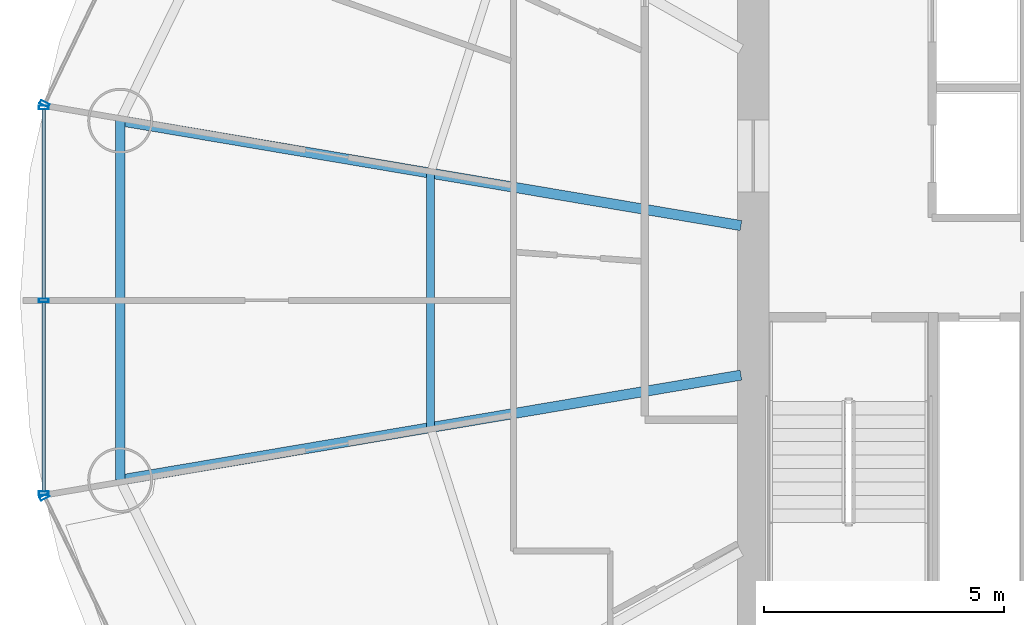
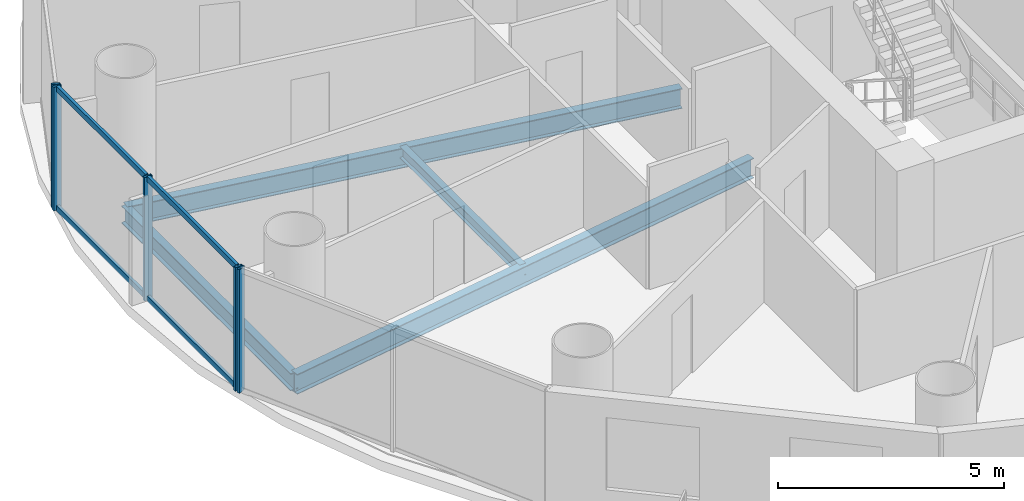
# One storey, part 6 of 26: 9 members, 4 beams, 3 elements without a shape of their own.
"""IFC4 building model written with IfcOpenShell, lengths in metres."""

from ifc_helpers import new_model, si_unit, direction, frame, origin, origin_2d, place, context, subcontext, project, spatial, hollow_rectangle, i_section, extrude, source, transform, mapped, material, material_profile, profile_set, type_object, element, aggregate, save


model = new_model("IFC4")

# Units and contexts
model_context = context("Model", 3, precision=1e-05, world=origin(), true_north=direction((-0.2419218956, 0.970295726276)))
body_context = subcontext(model_context, "Body", "Model", "MODEL_VIEW")
ifc_project = project(units=[si_unit("LENGTHUNIT", "METRE"), si_unit("AREAUNIT", "SQUARE_METRE"), si_unit("VOLUMEUNIT", "CUBIC_METRE"), si_unit("PLANEANGLEUNIT", "RADIAN"), si_unit("MASSUNIT", "GRAM", prefix="KILO")], contexts=[model_context])

# Site, building, storey
site_placement = place(None, origin())
site = spatial("IfcSite", under=ifc_project, at=site_placement, CompositionType="ELEMENT")
building_placement = place(site_placement, origin())
building = spatial("IfcBuilding", under=site, at=building_placement, Name="Cobrevalo Terracotta Tower", CompositionType="ELEMENT")
storey_placement = place(building_placement, frame((0.0, 0.0, 167.800048828125)))
storey = spatial("IfcBuildingStorey", under=building, at=storey_placement, Name="L44", CompositionType="ELEMENT", Elevation=167.800048828125)

# Beams
ifc_material_1 = material(Name="Steel S355", Category="steel")
ifc_material_profile_1 = material_profile(ifc_material_1, i_section(OverallWidth=0.2109375, OverallDepth=0.5390625, WebThickness=0.01171875, FlangeThickness=0.018798828125, at=origin_2d()), Name="W 530x109")
ifc_profile_set_1 = profile_set([ifc_material_profile_1], Name="Steel S355")
beam_type_1 = type_object("IfcBeamType", Name="Structural Beam W 530x109 (Steel S355)", PredefinedType="BEAM", material=ifc_profile_set_1)
for number, where, z_axis, x_axis, name in (
    (1, (15.88330078125, 30.535888671875, -0.53955078125), (0.986032794282, -0.166551279191, 0.0), (0.166551279191, 0.986032794282, 0.0), "L44 radial floor girder 08"),
    (2, (15.88330078125, 23.06396484375, -0.53955078125), (0.986029732232, 0.166569406417, 0.0), (-0.166569406417, 0.986029732232, 0.0), "L44 radial floor girder 09"),
):
    element("IfcBeam", number, at=place(storey_placement, frame(where, z_axis=z_axis, x_axis=x_axis)), inside=storey, type_object=beam_type_1, Name=name, PredefinedType="BEAM", context=body_context, shape_type="SweptSolid", body=[
        extrude(i_section(OverallWidth=0.2109375, OverallDepth=0.5390625, WebThickness=0.01171875, FlangeThickness=0.018798828125, at=origin_2d()), origin(), (0.0, 0.0, 1.0), 13.094482421875),
    ])
ifc_material_profile_2 = material_profile(ifc_material_1, i_section(OverallWidth=0.1650390625, OverallDepth=0.31005859375, WebThickness=0.005859375, FlangeThickness=0.009765625, at=origin_2d()), Name="W 310x38.7")
ifc_profile_set_2 = profile_set([ifc_material_profile_2], Name="Steel S355")
beam_type_2 = type_object("IfcBeamType", Name="Structural Joist W 310x38.7 (Steel S355)", PredefinedType="JOIST", material=ifc_profile_set_2)
beam_1_placement = place(storey_placement, frame((22.339111328125, 29.445556640625, -0.425048828125), z_axis=(0.0, -1.0, 0.0), x_axis=(1.0, 0.0, 0.0)))
element("IfcBeam", 3, at=beam_1_placement, inside=storey, type_object=beam_type_2, Name="L44 circumferential secondary floor joist 08", PredefinedType="JOIST", context=body_context, shape_type="SweptSolid", body=[
    extrude(i_section(OverallWidth=0.1650390625, OverallDepth=0.31005859375, WebThickness=0.005859375, FlangeThickness=0.009765625, at=origin_2d()), origin(), (0.0, 0.0, 1.0), 5.291015625),
])
ifc_material_profile_3 = material_profile(ifc_material_1, i_section(OverallWidth=0.194091796875, OverallDepth=0.468994140625, WebThickness=0.011474609375, FlangeThickness=0.0205078125, at=origin_2d()), Name="W 460x106")
ifc_profile_set_3 = profile_set([ifc_material_profile_3], Name="Steel S355")
beam_type_3 = type_object("IfcBeamType", Name="Structural Spandrel W 460x106 (Steel S355)", PredefinedType="SPANDREL", material=ifc_profile_set_3)
beam_2_placement = place(storey_placement, frame((15.88330078125, 30.535888671875, -0.504638671875), z_axis=(0.0, -1.0, 0.0), x_axis=(1.0, 0.0, 0.0)))
element("IfcBeam", 4, at=beam_2_placement, inside=storey, type_object=beam_type_3, Name="L44 perimeter ring spandrel 08", PredefinedType="SPANDREL", context=body_context, shape_type="SweptSolid", body=[
    extrude(i_section(OverallWidth=0.194091796875, OverallDepth=0.468994140625, WebThickness=0.011474609375, FlangeThickness=0.0205078125, at=origin_2d()), origin(), (0.0, 0.0, 1.0), 7.471923828125),
])

# Curtain wall, members
ifc_material_2 = material(Name="Anodized aluminium", Category="aluminium")
curtain_wall_type = type_object("IfcCurtainWallType", Name="Mid-tower high-wind unitised curtain wall CW-U2", PredefinedType="NOTDEFINED", material=ifc_material_2)
curtain_wall_1_placement = place(storey_placement, origin())
curtain_wall_1 = element("IfcCurtainWall", 5, at=curtain_wall_1_placement, inside=storey, type_object=curtain_wall_type, Name="L44 curtain wall CW-L44-S08", PredefinedType="NOTDEFINED")
ifc_material_profile_4 = material_profile(ifc_material_2, hollow_rectangle(XDim=0.074951171875, YDim=0.14990234375, WallThickness=0.00439453125, at=origin_2d()), Name="CWT 75x150")
ifc_profile_set_4 = profile_set([ifc_material_profile_4], Name="Anodized aluminium")
member_type_1 = type_object("IfcMemberType", Name="Tower unitised aluminium transom 75x150", PredefinedType="USERDEFINED", material=ifc_profile_set_4)
shared_shape_1 = source(origin(), body_context, "Body", "SweptSolid", [
    extrude(hollow_rectangle(XDim=0.074951171875, YDim=0.14990234375, WallThickness=0.00439453125, at=origin_2d()), origin(), (0.0, 0.0, 1.0), 3.931884765625),
])
member_1_placement = place(storey_placement, frame((14.29443359375, 30.77197265625, 0.050048828125), z_axis=(0.0, -1.0, 0.0), x_axis=(1.0, 0.0, 0.0)))
member_1 = element("IfcMember", 6, at=member_1_placement, type_object=member_type_1, Name="CW-L44-S08 transom B01-T1", ObjectType="TRANSOM", PredefinedType="USERDEFINED", context=body_context, shape_type="MappedRepresentation", body=[
    mapped(shared_shape_1, transform((0.0, 0.0, 0.0), scale=1.0)),
])
member_2_placement = place(storey_placement, frame((14.29443359375, 30.77197265625, 3.280029296875), z_axis=(0.0, -1.0, 0.0), x_axis=(1.0, 0.0, 0.0)))
member_2 = element("IfcMember", 7, at=member_2_placement, type_object=member_type_1, Name="CW-L44-S08 transom B01-T2", ObjectType="TRANSOM", PredefinedType="USERDEFINED", context=body_context, shape_type="MappedRepresentation", body=[
    mapped(shared_shape_1, transform((0.0, 0.0, 0.0), scale=1.0)),
])
shared_shape_2 = source(origin(), body_context, "Body", "SweptSolid", [
    extrude(hollow_rectangle(XDim=0.074951171875, YDim=0.14990234375, WallThickness=0.00439453125, at=origin_2d()), origin(), (0.0, 0.0, 1.0), 3.93212890625),
])
member_3_placement = place(storey_placement, frame((14.29443359375, 26.760009765625, 0.050048828125), z_axis=(0.0, -1.0, 0.0), x_axis=(1.0, 0.0, 0.0)))
member_3 = element("IfcMember", 8, at=member_3_placement, type_object=member_type_1, Name="CW-L44-S08 transom B02-T1", ObjectType="TRANSOM", PredefinedType="USERDEFINED", context=body_context, shape_type="MappedRepresentation", body=[
    mapped(shared_shape_2, transform((0.0, 0.0, 0.0), scale=1.0)),
])
member_4_placement = place(storey_placement, frame((14.29443359375, 26.760009765625, 3.280029296875), z_axis=(0.0, -1.0, 0.0), x_axis=(1.0, 0.0, 0.0)))
member_4 = element("IfcMember", 9, at=member_4_placement, type_object=member_type_1, Name="CW-L44-S08 transom B02-T2", ObjectType="TRANSOM", PredefinedType="USERDEFINED", context=body_context, shape_type="MappedRepresentation", body=[
    mapped(shared_shape_2, transform((0.0, 0.0, 0.0), scale=1.0)),
])

# Curtain wall, member
curtain_wall_2_placement = place(storey_placement, origin())
curtain_wall_2 = element("IfcCurtainWall", 10, at=curtain_wall_2_placement, inside=storey, type_object=curtain_wall_type, Name="L44 curtain wall CW-L44-S07", PredefinedType="NOTDEFINED")
ifc_material_profile_5 = material_profile(ifc_material_2, hollow_rectangle(XDim=0.074951171875, YDim=0.199951171875, WallThickness=0.0048828125, at=origin_2d()), Name="CWM 75x200")
ifc_profile_set_5 = profile_set([ifc_material_profile_5], Name="Anodized aluminium")
member_type_2 = type_object("IfcMemberType", Name="Lower/mid tower unitised mullion 75x200", PredefinedType="MULLION", material=ifc_profile_set_5)
shared_shape_3 = source(origin(), body_context, "Body", "SweptSolid", [
    extrude(hollow_rectangle(XDim=0.074951171875, YDim=0.199951171875, WallThickness=0.0048828125, at=origin_2d()), origin(), (0.0, 0.0, 1.0), 3.329833984375),
])
member_5_placement = place(storey_placement, frame((14.311767578125, 30.887939453125, 0.0), z_axis=(0.0, 0.0, 1.0), x_axis=(-0.434209440271, -0.900811945957, 0.0)))
member_5 = element("IfcMember", 11, at=member_5_placement, type_object=member_type_2, Name="CW-L44-S07 vertical mullion 03", PredefinedType="MULLION", context=body_context, shape_type="MappedRepresentation", body=[
    mapped(shared_shape_3, transform((0.0, 0.0, 0.0), scale=1.0)),
])
aggregate(curtain_wall_2, [member_5])

# Member
member_6_placement = place(storey_placement, frame((14.29443359375, 30.81201171875, 0.0), z_axis=(0.0, 0.0, 1.0), x_axis=(0.0, -1.0, 0.0)))
member_6 = element("IfcMember", 12, at=member_6_placement, type_object=member_type_2, Name="CW-L44-S08 vertical mullion 01", PredefinedType="MULLION", context=body_context, shape_type="MappedRepresentation", body=[
    mapped(shared_shape_3, transform((0.0, 0.0, 0.0), scale=1.0)),
])

member_7_placement = place(storey_placement, frame((14.29443359375, 26.800048828125, 0.0), z_axis=(0.0, 0.0, 1.0), x_axis=(0.0, -1.0, 0.0)))
member_7 = element("IfcMember", 13, at=member_7_placement, type_object=member_type_2, Name="CW-L44-S08 vertical mullion 02", PredefinedType="MULLION", context=body_context, shape_type="MappedRepresentation", body=[
    mapped(shared_shape_3, transform((0.0, 0.0, 0.0), scale=1.0)),
])

member_8_placement = place(storey_placement, frame((14.29443359375, 22.7880859375, 0.0), z_axis=(0.0, 0.0, 1.0), x_axis=(0.0, -1.0, 0.0)))
member_8 = element("IfcMember", 14, at=member_8_placement, type_object=member_type_2, Name="CW-L44-S08 vertical mullion 03", PredefinedType="MULLION", context=body_context, shape_type="MappedRepresentation", body=[
    mapped(shared_shape_3, transform((0.0, 0.0, 0.0), scale=1.0)),
])

aggregate(curtain_wall_1, [member_6, member_7, member_8, member_1, member_2, member_3, member_4])

# Curtain wall, member
curtain_wall_3_placement = place(storey_placement, origin())
curtain_wall_3 = element("IfcCurtainWall", 15, at=curtain_wall_3_placement, inside=storey, type_object=curtain_wall_type, Name="L44 curtain wall CW-L44-S09", PredefinedType="NOTDEFINED")
member_9_placement = place(storey_placement, frame((14.311767578125, 22.7119140625, 0.0), z_axis=(0.0, 0.0, 1.0), x_axis=(0.434209440271, -0.900811945957, 0.0)))
member_9 = element("IfcMember", 16, at=member_9_placement, type_object=member_type_2, Name="CW-L44-S09 vertical mullion 01", PredefinedType="MULLION", context=body_context, shape_type="MappedRepresentation", body=[
    mapped(shared_shape_3, transform((0.0, 0.0, 0.0), scale=1.0)),
])
aggregate(curtain_wall_3, [member_9])

save(model, "model.ifc")
